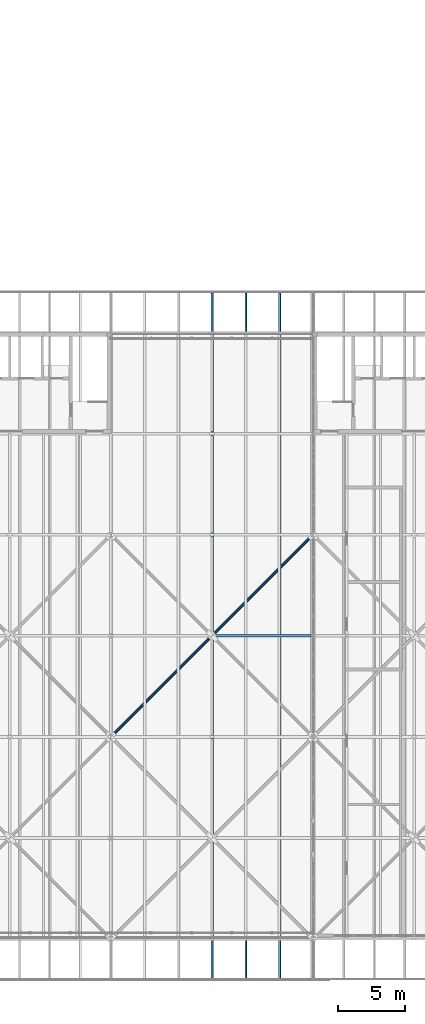
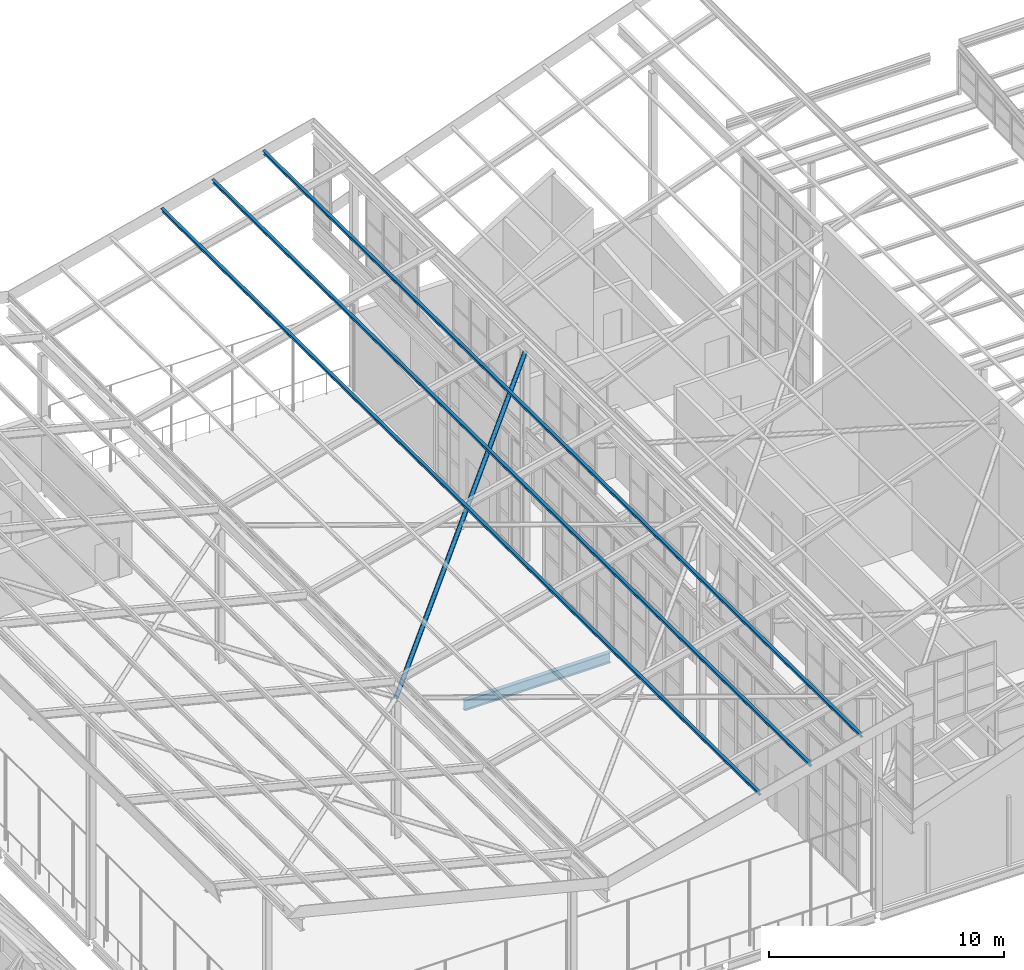
# One storey, part 32 of 483: 4 members, 1 beam.
"""IFC4 building model written with IfcOpenShell, lengths in metres."""

from ifc_helpers import new_model, si_unit, direction, frame, origin, origin_2d, place, context, subcontext, project, spatial, hollow_circle, i_section, extrude, material, material_profile, profile_set, type_object, element, save


model = new_model("IFC4")

# Units and contexts
model_context = context("Model", 3, precision=1e-05, world=origin(), true_north=direction((0.0, 1.0)))
body_context = subcontext(model_context, "Body", "Model", "MODEL_VIEW")
ifc_project = project(units=[si_unit("LENGTHUNIT", "METRE"), si_unit("AREAUNIT", "SQUARE_METRE"), si_unit("VOLUMEUNIT", "CUBIC_METRE"), si_unit("PLANEANGLEUNIT", "RADIAN"), si_unit("MASSUNIT", "GRAM", prefix="KILO")], contexts=[model_context])

# Site, building, storey
site_placement = place(None, origin())
site = spatial("IfcSite", under=ifc_project, at=site_placement, CompositionType="ELEMENT")
building_placement = place(site_placement, origin())
building = spatial("IfcBuilding", under=site, at=building_placement, Name="Parallax Yard Mobility Hub", CompositionType="ELEMENT")
storey_placement = place(building_placement, frame((0.0, 0.0, 13.199951171875)))
storey = spatial("IfcBuildingStorey", under=building, at=storey_placement, Name="L04", CompositionType="ELEMENT", Elevation=13.199951171875)

# Members
ifc_material_1 = material(Name="Steel ASTM A500 Gr C", Category="steel")
ifc_material_profile_1 = material_profile(ifc_material_1, hollow_circle(Radius=0.109619140625, WallThickness=0.008056640625, at=origin_2d()), Name="HSS219.1x8.0")
ifc_profile_set_1 = profile_set([ifc_material_profile_1], Name="Steel ASTM A500 Gr C")
member_type_1 = type_object("IfcMemberType", Name="Roof brace HSS219.1x8.0", PredefinedType="BRACE", material=ifc_profile_set_1)
member_placement = place(storey_placement, frame((112.5, 22.5, 7.21044921875), z_axis=(0.697138703766, 0.697138703766, 0.167317827567), x_axis=(-0.707106781187, 0.707106781187, 0.0)))
element("IfcMember", 1, at=member_placement, inside=storey, type_object=member_type_1, Name="Roof X brace east wing bay 2 1", PredefinedType="BRACE", context=body_context, shape_type="SweptSolid", body=[
    extrude(hollow_circle(Radius=0.109619140625, WallThickness=0.008056640625, at=origin_2d()), origin(), (0.0, 0.0, 1.0), 21.5166015625),
])
ifc_material_2 = material(Name="Steel ASTM A992", Category="steel")
ifc_material_profile_2 = material_profile(ifc_material_2, i_section(OverallWidth=0.133056640625, OverallDepth=0.20703125, WebThickness=0.005859375, FlangeThickness=0.00830078125, at=origin_2d()), Name="W200x27")
ifc_profile_set_2 = profile_set([ifc_material_profile_2], Name="Steel ASTM A992")
member_type_2 = type_object("IfcMemberType", Name="Roof purlin W200x27", PredefinedType="PURLIN", material=ifc_profile_set_2)
for number, where, z_axis, x_axis, name in (
    (2, (120.025146484375, 4.55908203125, 10.469970703125), (0.0, 0.999950005669, -0.009999308131), (-0.970145223913, -0.002425079502, -0.242512604844), "Roof purlin court east wing line 4"),
    (3, (122.525146484375, 4.55908203125, 11.094970703125), (0.0, 0.999950005669, -0.009999308131), (-0.970145223913, -0.002425079502, -0.242512604844), "Roof purlin court east wing line 5"),
    (4, (125.025146484375, 4.55908203125, 11.719970703125), (0.0, 0.999950005669, -0.009999308131), (-0.970145223913, -0.002425079502, -0.242512604844), "Roof purlin court east wing line 6"),
):
    element("IfcMember", number, at=place(storey_placement, frame(where, z_axis=z_axis, x_axis=x_axis)), inside=storey, type_object=member_type_2, Name=name, PredefinedType="PURLIN", context=body_context, shape_type="SweptSolid", body=[
        extrude(i_section(OverallWidth=0.133056640625, OverallDepth=0.20703125, WebThickness=0.005859375, FlangeThickness=0.00830078125, at=origin_2d()), origin(), (0.0, 0.0, 1.0), 50.88232421875),
    ])

# Beam
ifc_material_profile_3 = material_profile(ifc_material_2, i_section(OverallWidth=0.208984375, OverallDepth=0.532958984375, WebThickness=0.01025390625, FlangeThickness=0.015625, FilletRadius=0.0126953125, at=origin_2d()), Name="W530x92")
ifc_profile_set_3 = profile_set([ifc_material_profile_3], Name="Steel ASTM A992")
beam_type = type_object("IfcBeamType", Name="W530x92 longitudinal beam", PredefinedType="BEAM", material=ifc_profile_set_3)
beam_placement = place(storey_placement, frame((120.152587890625, 30.0, -0.406494140625), z_axis=(1.0, 0.0, 0.0), x_axis=(0.0, 1.0, 0.0)))
element("IfcBeam", 5, at=beam_placement, inside=storey, type_object=beam_type, Name="Longitudinal beam SB6 level L04, line E of mobility service centre and workshops, span 4", PredefinedType="BEAM", context=body_context, shape_type="SweptSolid", body=[
    extrude(i_section(OverallWidth=0.208984375, OverallDepth=0.532958984375, WebThickness=0.01025390625, FlangeThickness=0.015625, FilletRadius=0.0126953125, at=origin_2d()), origin(), (0.0, 0.0, 1.0), 7.19482421875),
])

save(model, "model.ifc")
